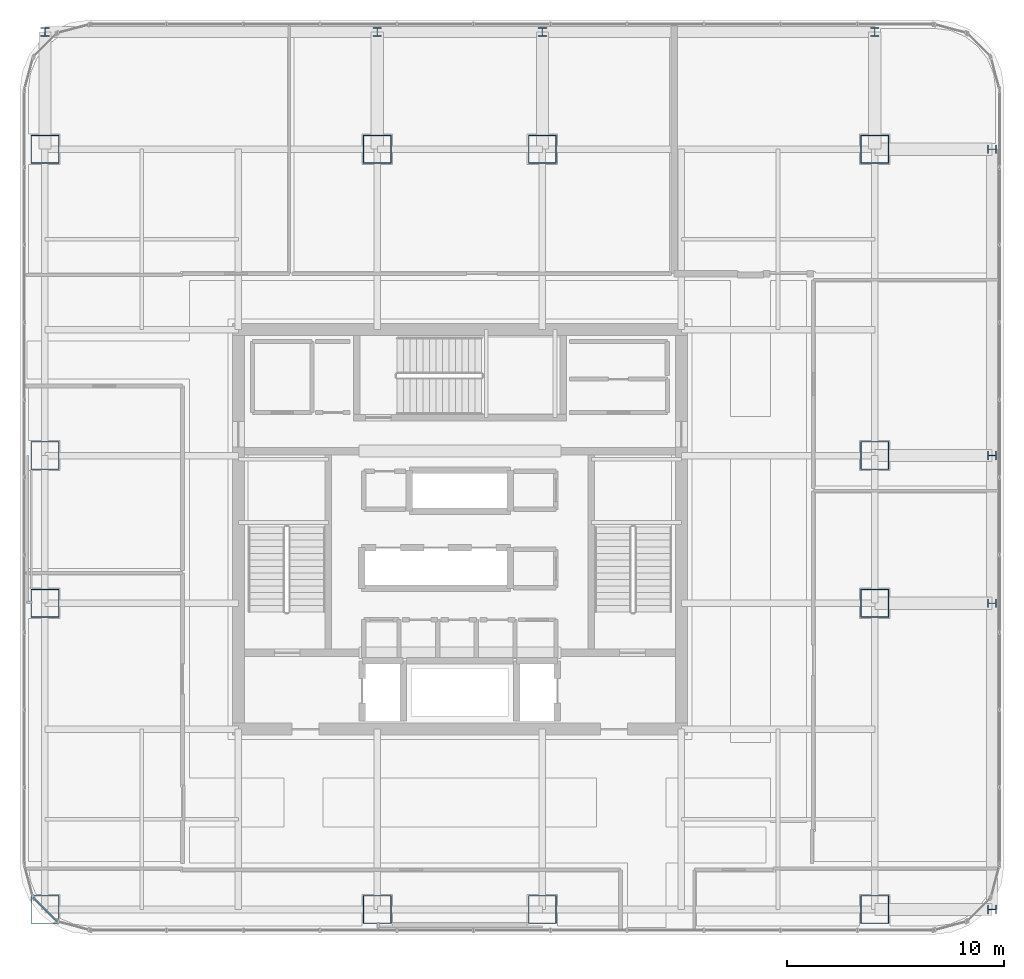
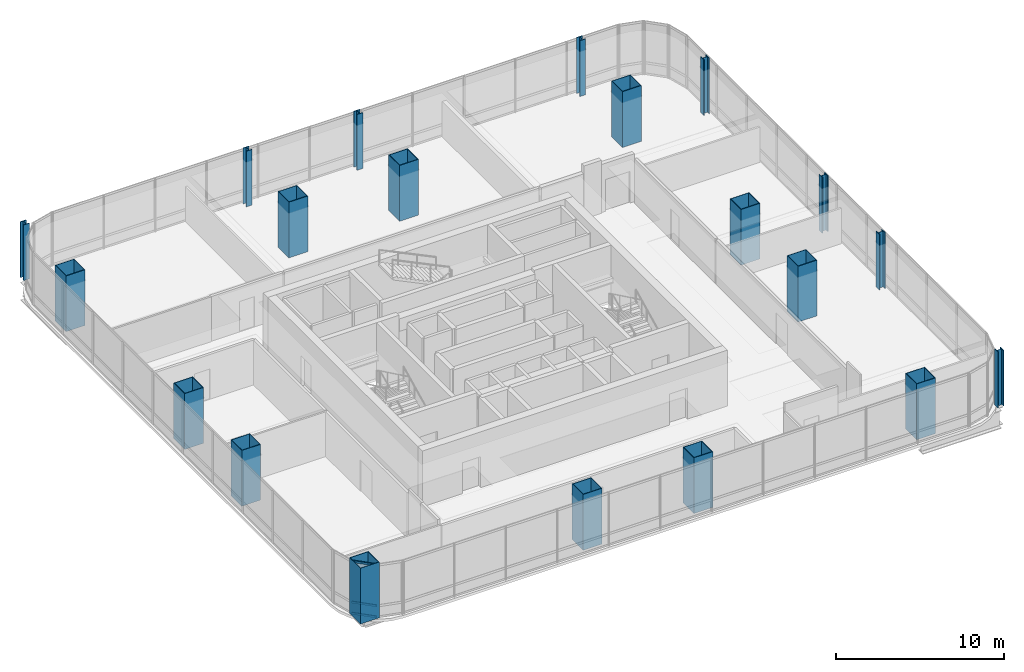
# One storey, part 1 of 40: 20 columns, 3 members, 1 element without a shape of its own.
"""IFC4 building model written with IfcOpenShell, lengths in metres."""

from ifc_helpers import new_model, si_unit, direction, frame, origin, origin_2d, place, context, subcontext, project, spatial, hollow_rectangle, i_section, extrude, material, material_profile, profile_set, type_object, element, aggregate, save


model = new_model("IFC4")

# Units and contexts
model_context = context("Model", 3, precision=1e-05, world=origin(), true_north=direction((0.0, 1.0)))
body_context = subcontext(model_context, "Body", "Model", "MODEL_VIEW")
ifc_project = project(units=[si_unit("LENGTHUNIT", "METRE"), si_unit("AREAUNIT", "SQUARE_METRE"), si_unit("VOLUMEUNIT", "CUBIC_METRE"), si_unit("PLANEANGLEUNIT", "RADIAN"), si_unit("MASSUNIT", "GRAM", prefix="KILO")], contexts=[model_context])

# Site, building, storey
site_placement = place(None, origin())
site = spatial("IfcSite", under=ifc_project, at=site_placement, CompositionType="ELEMENT")
building_placement = place(site_placement, origin())
building = spatial("IfcBuilding", under=site, at=building_placement, Name="Punatoya Terracotta Tower", CompositionType="ELEMENT")
storey_placement = place(building_placement, frame((0.0, 0.0, 271.64990234375)))
storey = spatial("IfcBuildingStorey", under=building, at=storey_placement, Name="L64", CompositionType="ELEMENT", Elevation=271.64990234375)

# Columns
ifc_material_1 = material(Name="Steel S460", Category="steel")
ifc_material_profile_1 = material_profile(ifc_material_1, i_section(OverallWidth=0.406005859375, OverallDepth=0.416015625, WebThickness=0.029052734375, FlangeThickness=0.048095703125, FilletRadius=0.01806640625, at=origin_2d()))
ifc_profile_set_1 = profile_set([ifc_material_profile_1], Name="Steel S460")
column_type_1 = type_object("IfcColumnType", Name="COL-EX-M3", PredefinedType="COLUMN", material=ifc_profile_set_1)
for number, where, z_axis, x_axis, name in (
    (1, (-19.10009765625, 22.89990234375, 0.0), (0.0, 0.0, 1.0), (1.0, 0.0, 0.0), "L64 Exoskeleton Perimeter Column N1"),
    (2, (-3.800048828125, 22.89990234375, 0.0), (0.0, 0.0, 1.0), (1.0, 0.0, 0.0), "L64 Exoskeleton Perimeter Column N2"),
    (3, (3.800048828125, 22.89990234375, 0.0), (0.0, 0.0, 1.0), (1.0, 0.0, 0.0), "L64 Exoskeleton Perimeter Column N3"),
    (4, (19.10009765625, 22.89990234375, 0.0), (0.0, 0.0, 1.0), (1.0, 0.0, 0.0), "L64 Exoskeleton Perimeter Column N4"),
    (5, (24.5, -17.5, 0.0), (0.0, 0.0, 1.0), (0.0, 1.0, 0.0), "L64 Exoskeleton Perimeter Column E1"),
    (6, (24.5, -3.39990234375, 0.0), (0.0, 0.0, 1.0), (0.0, 1.0, 0.0), "L64 Exoskeleton Perimeter Column E2"),
    (7, (24.5, 3.39990234375, 0.0), (0.0, 0.0, 1.0), (0.0, 1.0, 0.0), "L64 Exoskeleton Perimeter Column E3"),
    (8, (24.5, 17.5, 0.0), (0.0, 0.0, 1.0), (0.0, 1.0, 0.0), "L64 Exoskeleton Perimeter Column E4"),
):
    element("IfcColumn", number, at=place(storey_placement, frame(where, z_axis=z_axis, x_axis=x_axis)), inside=storey, type_object=column_type_1, Name=name, PredefinedType="COLUMN", context=body_context, shape_type="SweptSolid", body=[
        extrude(i_section(OverallWidth=0.406005859375, OverallDepth=0.416015625, WebThickness=0.029052734375, FlangeThickness=0.048095703125, FilletRadius=0.01806640625, at=origin_2d()), origin(), (0.0, 0.0, 1.0), 4.048095703125),
    ])
ifc_material_profile_2 = material_profile(ifc_material_1, hollow_rectangle(XDim=1.300048828125, YDim=1.300048828125, WallThickness=0.0380859375, at=origin_2d()))
ifc_profile_set_2 = profile_set([ifc_material_profile_2], Name="Steel S460")
column_type_2 = type_object("IfcColumnType", Name="COL-MC-Z3", PredefinedType="COLUMN", material=ifc_profile_set_2)
for number, where, z_axis, x_axis, name in (
    (9, (-19.10009765625, -17.5, 0.0), (0.0, 0.0, 1.0), (1.0, 0.0, 0.0), "L64 Composite Mega-Column MC-01 (3-B)"),
    (10, (-3.800048828125, -17.5, 0.0), (0.0, 0.0, 1.0), (1.0, 0.0, 0.0), "L64 Composite Mega-Column MC-02 (5-B)"),
    (11, (3.800048828125, -17.5, 0.0), (0.0, 0.0, 1.0), (1.0, 0.0, 0.0), "L64 Composite Mega-Column MC-03 (7-B)"),
    (12, (19.10009765625, -17.5, 0.0), (0.0, 0.0, 1.0), (1.0, 0.0, 0.0), "L64 Composite Mega-Column MC-04 (9-B)"),
    (13, (19.10009765625, -3.39990234375, 0.0), (0.0, 0.0, 1.0), (1.0, 0.0, 0.0), "L64 Composite Mega-Column MC-05 (9-D)"),
    (14, (19.10009765625, 3.39990234375, 0.0), (0.0, 0.0, 1.0), (1.0, 0.0, 0.0), "L64 Composite Mega-Column MC-06 (9-E)"),
    (15, (19.10009765625, 17.5, 0.0), (0.0, 0.0, 1.0), (1.0, 0.0, 0.0), "L64 Composite Mega-Column MC-07 (9-G)"),
    (16, (3.800048828125, 17.5, 0.0), (0.0, 0.0, 1.0), (1.0, 0.0, 0.0), "L64 Composite Mega-Column MC-08 (7-G)"),
    (17, (-3.800048828125, 17.5, 0.0), (0.0, 0.0, 1.0), (1.0, 0.0, 0.0), "L64 Composite Mega-Column MC-09 (5-G)"),
    (18, (-19.10009765625, 17.5, 0.0), (0.0, 0.0, 1.0), (1.0, 0.0, 0.0), "L64 Composite Mega-Column MC-10 (3-G)"),
    (19, (-19.10009765625, 3.39990234375, 0.0), (0.0, 0.0, 1.0), (1.0, 0.0, 0.0), "L64 Composite Mega-Column MC-11 (3-E)"),
    (20, (-19.10009765625, -3.39990234375, 0.0), (0.0, 0.0, 1.0), (1.0, 0.0, 0.0), "L64 Composite Mega-Column MC-12 (3-D)"),
):
    element("IfcColumn", number, at=place(storey_placement, frame(where, z_axis=z_axis, x_axis=x_axis)), inside=storey, type_object=column_type_2, Name=name, PredefinedType="COLUMN", context=body_context, shape_type="SweptSolid", body=[
        extrude(hollow_rectangle(XDim=1.300048828125, YDim=1.300048828125, WallThickness=0.0380859375, at=origin_2d()), origin(), (0.0, 0.0, 1.0), 4.050048828125),
    ])

# Curtain wall, members
ifc_material_2 = material(Name="Aluminium 6063-T6 + Double Low-E Glass", Category="aluminium")
curtain_wall_type = type_object("IfcCurtainWallType", Name="CW-M3", PredefinedType="NOTDEFINED", material=ifc_material_2)
curtain_wall_placement = place(storey_placement, origin())
curtain_wall = element("IfcCurtainWall", 21, at=curtain_wall_placement, inside=storey, type_object=curtain_wall_type, Name="L64 Curtain Wall CW-L64-CRN15", PredefinedType="NOTDEFINED")
ifc_material_3 = material(Name="Aluminium 6063-T6", Category="aluminium")
ifc_material_profile_3 = material_profile(ifc_material_3, hollow_rectangle(XDim=0.068115234375, YDim=0.14990234375, WallThickness=0.00390625, at=origin_2d()))
ifc_profile_set_3 = profile_set([ifc_material_profile_3], Name="Aluminium 6063-T6")
member_type = type_object("IfcMemberType", Name="CW-TRN-TYP", PredefinedType="USERDEFINED", material=ifc_profile_set_3)
member_1_placement = place(storey_placement, frame((-19.646484375, -16.94921875, 0.0400390625), z_axis=(0.707106781187, -0.707106781187, 0.0), x_axis=(0.707106781187, 0.707106781187, 0.0)))
member_1 = element("IfcMember", 22, at=member_1_placement, type_object=member_type, Name="CW-L64-CRN15 Transom 1", ObjectType="TRANSOM", PredefinedType="USERDEFINED", context=body_context, shape_type="SweptSolid", body=[
    extrude(hollow_rectangle(XDim=0.068115234375, YDim=0.14990234375, WallThickness=0.00390625, at=origin_2d()), origin(), (0.0, 0.0, 1.0), 1.552001953125),
])
member_2_placement = place(storey_placement, frame((-19.646484375, -16.94921875, 0.85009765625), z_axis=(0.707106781187, -0.707106781187, 0.0), x_axis=(0.707106781187, 0.707106781187, 0.0)))
member_2 = element("IfcMember", 23, at=member_2_placement, type_object=member_type, Name="CW-L64-CRN15 Transom 2", ObjectType="TRANSOM", PredefinedType="USERDEFINED", context=body_context, shape_type="SweptSolid", body=[
    extrude(hollow_rectangle(XDim=0.068115234375, YDim=0.14990234375, WallThickness=0.00390625, at=origin_2d()), origin(), (0.0, 0.0, 1.0), 1.552001953125),
])
member_3_placement = place(storey_placement, frame((-19.646484375, -16.94921875, 3.81005859375), z_axis=(0.707106781187, -0.707106781187, 0.0), x_axis=(0.707106781187, 0.707106781187, 0.0)))
member_3 = element("IfcMember", 24, at=member_3_placement, type_object=member_type, Name="CW-L64-CRN15 Transom 3", ObjectType="TRANSOM", PredefinedType="USERDEFINED", context=body_context, shape_type="SweptSolid", body=[
    extrude(hollow_rectangle(XDim=0.068115234375, YDim=0.14990234375, WallThickness=0.00390625, at=origin_2d()), origin(), (0.0, 0.0, 1.0), 1.552001953125),
])
aggregate(curtain_wall, [member_1, member_2, member_3])

save(model, "model.ifc")
